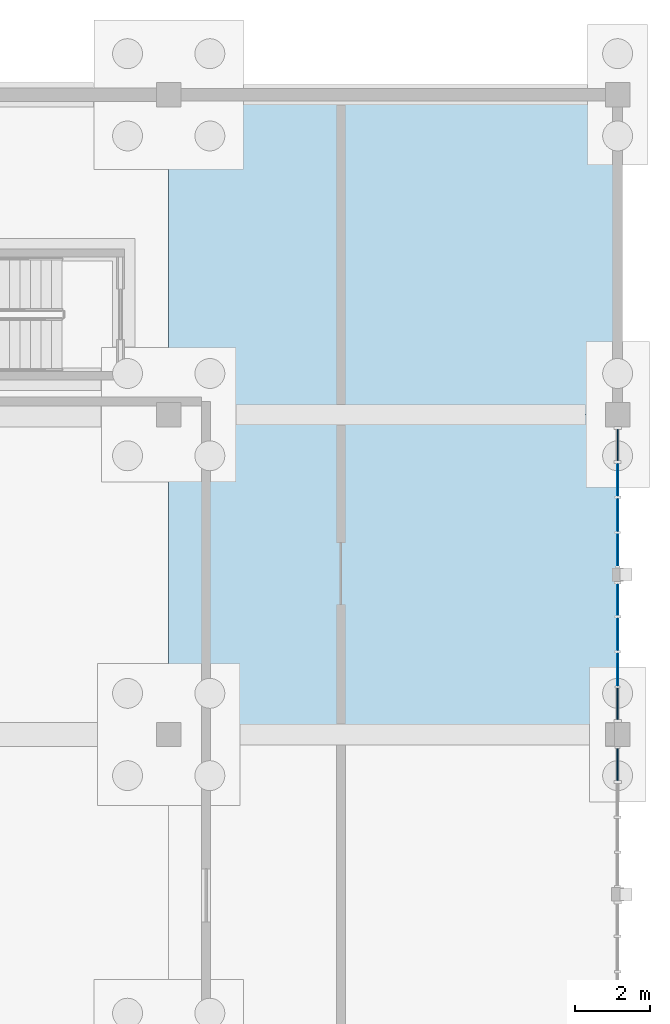
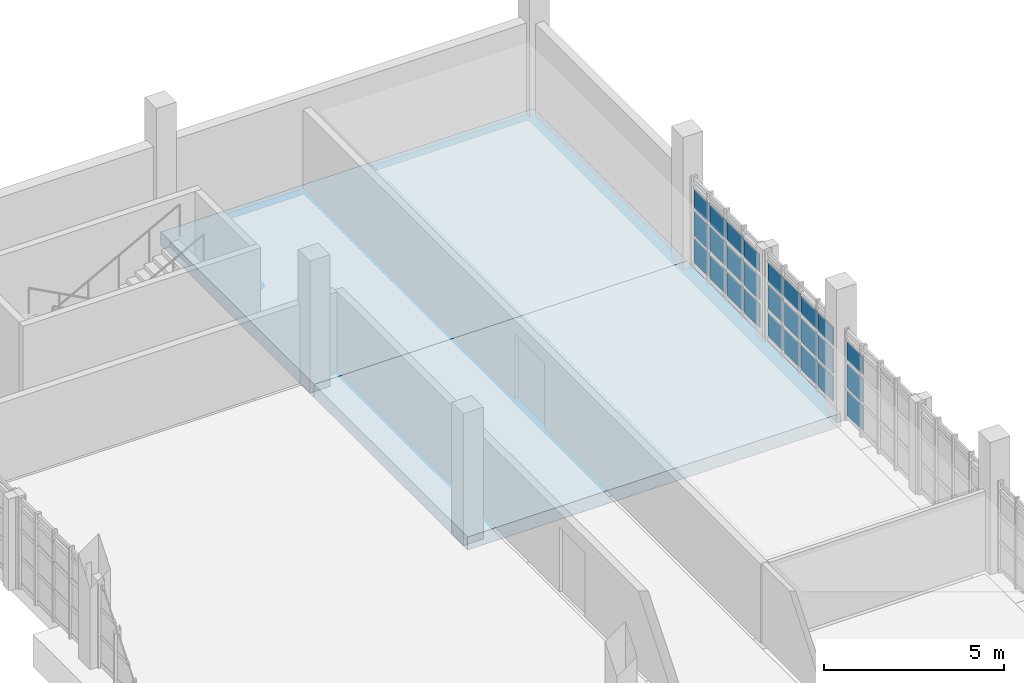
# One storey, part 94 of 125: 27 plates, 2 slabs, 3 elements without a shape of their own.
"""IFC4 building model written with IfcOpenShell, lengths in metres."""

from ifc_helpers import new_model, si_unit, direction, frame, origin, origin_2d, place, context, subcontext, project, spatial, polyline, rectangle, outline, extrude, material, layer, layer_set, type_object, element, aggregate, save


model = new_model("IFC4")

# Units and contexts
model_context = context("Model", 3, precision=1e-05, world=origin(), true_north=direction((0.0, 1.0)))
body_context = subcontext(model_context, "Body", "Model", "MODEL_VIEW")
ifc_project = project(units=[si_unit("LENGTHUNIT", "METRE"), si_unit("AREAUNIT", "SQUARE_METRE"), si_unit("VOLUMEUNIT", "CUBIC_METRE"), si_unit("PLANEANGLEUNIT", "RADIAN"), si_unit("MASSUNIT", "GRAM", prefix="KILO")], contexts=[model_context])

# Site, building, storey
site_placement = place(None, origin())
site = spatial("IfcSite", under=ifc_project, at=site_placement, CompositionType="ELEMENT")
building_placement = place(site_placement, origin())
building = spatial("IfcBuilding", under=site, at=building_placement, Name="Serraforn Aerial Cableway Station", CompositionType="ELEMENT")
storey_placement = place(building_placement, frame((0.0, 0.0, 4.5)))
storey = spatial("IfcBuildingStorey", under=building, at=storey_placement, Name="L01", CompositionType="ELEMENT", Elevation=4.5)

# Curtain wall, plates
ifc_material_1 = material(Name="Anodised bronze unitised curtain wall")
curtain_wall_type_1 = type_object("IfcCurtainWallType", Name="CW-SYS-21", PredefinedType="USERDEFINED", material=ifc_material_1)
curtain_wall_1_placement = place(storey_placement, origin())
curtain_wall_1 = element("IfcCurtainWall", 1, at=curtain_wall_1_placement, inside=storey, type_object=curtain_wall_type_1, Name="Unitised Curtain Wall CW-EG-L01-E7A", ObjectType="UNITISED CURTAIN WALL", PredefinedType="USERDEFINED")
ifc_material_2 = material(Name="Solar-control low-E double glazing", Category="glass")
ifc_layer_1 = layer(ifc_material_2, 0.02587890625)
ifc_layer_set_1 = layer_set([ifc_layer_1], Name="Solar-control low-E double glazing")
plate_type_1 = type_object("IfcPlateType", Name="CW-GLZ-1", PredefinedType="CURTAIN_PANEL", material=ifc_layer_set_1)
plate_1_placement = place(storey_placement, frame((168.0, 98.63623046875, 2.06982421875), z_axis=(0.0, 0.0, 1.0), x_axis=(1.0, 0.0, 0.0)))
plate_1 = element("IfcPlate", 2, at=plate_1_placement, type_object=plate_type_1, Name="Curtain Wall Panel CW-EG-L01-E7A-P2-3", PredefinedType="CURTAIN_PANEL", context=body_context, shape_type="SweptSolid", body=[
    extrude(rectangle(XDim=0.02587890625, YDim=0.889404296875, at=origin_2d()), origin(), (0.0, 0.0, 1.0), 0.59521484375),
])
plate_2_placement = place(storey_placement, frame((168.0, 99.579345703125, 1.1337890625), z_axis=(0.0, 0.0, 1.0), x_axis=(1.0, 0.0, 0.0)))
plate_2 = element("IfcPlate", 3, at=plate_2_placement, type_object=plate_type_1, Name="Curtain Wall Panel CW-EG-L01-E7A-P3-2", PredefinedType="CURTAIN_PANEL", context=body_context, shape_type="SweptSolid", body=[
    extrude(rectangle(XDim=0.02587890625, YDim=0.884521484375, at=origin_2d()), origin(), (0.0, 0.0, 1.0), 0.782470703125),
])
plate_3_placement = place(storey_placement, frame((168.0, 100.5048828125, 0.19775390625), z_axis=(0.0, 0.0, 1.0), x_axis=(1.0, 0.0, 0.0)))
plate_3 = element("IfcPlate", 4, at=plate_3_placement, type_object=plate_type_1, Name="Curtain Wall Panel CW-EG-L01-E7A-P4-1", PredefinedType="CURTAIN_PANEL", context=body_context, shape_type="SweptSolid", body=[
    extrude(rectangle(XDim=0.02587890625, YDim=0.844482421875, at=origin_2d()), origin(), (0.0, 0.0, 1.0), 0.782470703125),
])

curtain_wall_type_2 = type_object("IfcCurtainWallType", Name="CW-SYS-22", PredefinedType="USERDEFINED", material=ifc_material_1)
curtain_wall_2_placement = place(storey_placement, origin())
curtain_wall_2 = element("IfcCurtainWall", 5, at=curtain_wall_2_placement, inside=storey, type_object=curtain_wall_type_2, Name="Unitised Curtain Wall CW-EG-L01-E7B", ObjectType="UNITISED CURTAIN WALL", PredefinedType="USERDEFINED")
plate_4_placement = place(storey_placement, frame((168.0, 101.839111328125, 2.06982421875), z_axis=(0.0, 0.0, 1.0), x_axis=(1.0, 0.0, 0.0)))
plate_4 = element("IfcPlate", 6, at=plate_4_placement, type_object=plate_type_1, Name="Curtain Wall Panel CW-EG-L01-E7B-P1-3", PredefinedType="CURTAIN_PANEL", context=body_context, shape_type="SweptSolid", body=[
    extrude(rectangle(XDim=0.02587890625, YDim=0.862060546875, at=origin_2d()), origin(), (0.0, 0.0, 1.0), 0.59521484375),
])
plate_5_placement = place(storey_placement, frame((168.0, 102.768310546875, 1.1337890625), z_axis=(0.0, 0.0, 1.0), x_axis=(1.0, 0.0, 0.0)))
plate_5 = element("IfcPlate", 7, at=plate_5_placement, type_object=plate_type_1, Name="Curtain Wall Panel CW-EG-L01-E7B-P2-2", PredefinedType="CURTAIN_PANEL", context=body_context, shape_type="SweptSolid", body=[
    extrude(rectangle(XDim=0.02587890625, YDim=0.884521484375, at=origin_2d()), origin(), (0.0, 0.0, 1.0), 0.782470703125),
])
plate_6_placement = place(storey_placement, frame((168.0, 103.711181640625, 0.19775390625), z_axis=(0.0, 0.0, 1.0), x_axis=(1.0, 0.0, 0.0)))
plate_6 = element("IfcPlate", 8, at=plate_6_placement, type_object=plate_type_1, Name="Curtain Wall Panel CW-EG-L01-E7B-P3-1", PredefinedType="CURTAIN_PANEL", context=body_context, shape_type="SweptSolid", body=[
    extrude(rectangle(XDim=0.02587890625, YDim=0.87939453125, at=origin_2d()), origin(), (0.0, 0.0, 1.0), 0.782470703125),
])

# Plate
ifc_layer_2 = layer(ifc_material_2, 0.028076171875)
ifc_layer_set_2 = layer_set([ifc_layer_2], Name="Solar-control low-E double glazing")
plate_type_2 = type_object("IfcPlateType", Name="CW-GLZ-2", PredefinedType="CURTAIN_PANEL", material=ifc_layer_set_2)
plate_7_placement = place(storey_placement, frame((168.0, 99.579345703125, 2.077392578125), z_axis=(0.0, 0.0, 1.0), x_axis=(1.0, 0.0, 0.0)))
plate_7 = element("IfcPlate", 9, at=plate_7_placement, type_object=plate_type_2, Name="Curtain Wall Panel CW-EG-L01-E7A-P3-3", PredefinedType="CURTAIN_PANEL", context=body_context, shape_type="SweptSolid", body=[
    extrude(rectangle(XDim=0.028076171875, YDim=0.884521484375, at=origin_2d()), origin(), (0.0, 0.0, 1.0), 0.615234375),
])

plate_8_placement = place(storey_placement, frame((168.0, 100.5048828125, 1.14111328125), z_axis=(0.0, 0.0, 1.0), x_axis=(1.0, 0.0, 0.0)))
plate_8 = element("IfcPlate", 10, at=plate_8_placement, type_object=plate_type_2, Name="Curtain Wall Panel CW-EG-L01-E7A-P4-2", PredefinedType="CURTAIN_PANEL", context=body_context, shape_type="SweptSolid", body=[
    extrude(rectangle(XDim=0.028076171875, YDim=0.844482421875, at=origin_2d()), origin(), (0.0, 0.0, 1.0), 0.802490234375),
])

plate_9_placement = place(storey_placement, frame((168.0, 102.768310546875, 2.077392578125), z_axis=(0.0, 0.0, 1.0), x_axis=(1.0, 0.0, 0.0)))
plate_9 = element("IfcPlate", 11, at=plate_9_placement, type_object=plate_type_2, Name="Curtain Wall Panel CW-EG-L01-E7B-P2-3", PredefinedType="CURTAIN_PANEL", context=body_context, shape_type="SweptSolid", body=[
    extrude(rectangle(XDim=0.028076171875, YDim=0.884521484375, at=origin_2d()), origin(), (0.0, 0.0, 1.0), 0.615234375),
])

plate_10_placement = place(storey_placement, frame((168.0, 103.711181640625, 1.14111328125), z_axis=(0.0, 0.0, 1.0), x_axis=(1.0, 0.0, 0.0)))
plate_10 = element("IfcPlate", 12, at=plate_10_placement, type_object=plate_type_2, Name="Curtain Wall Panel CW-EG-L01-E7B-P3-2", PredefinedType="CURTAIN_PANEL", context=body_context, shape_type="SweptSolid", body=[
    extrude(rectangle(XDim=0.028076171875, YDim=0.87939453125, at=origin_2d()), origin(), (0.0, 0.0, 1.0), 0.802490234375),
])

plate_11_placement = place(storey_placement, frame((168.0, 104.635498046875, 0.20556640625), z_axis=(0.0, 0.0, 1.0), x_axis=(1.0, 0.0, 0.0)))
plate_11 = element("IfcPlate", 13, at=plate_11_placement, type_object=plate_type_2, Name="Curtain Wall Panel CW-EG-L01-E7B-P4-1", PredefinedType="CURTAIN_PANEL", context=body_context, shape_type="SweptSolid", body=[
    extrude(rectangle(XDim=0.028076171875, YDim=0.8369140625, at=origin_2d()), origin(), (0.0, 0.0, 1.0), 0.802490234375),
])

ifc_layer_3 = layer(ifc_material_2, 0.030029296875)
ifc_layer_set_3 = layer_set([ifc_layer_3], Name="Solar-control low-E double glazing")
plate_type_3 = type_object("IfcPlateType", Name="CW-GLZ-3", PredefinedType="CURTAIN_PANEL", material=ifc_layer_set_3)
plate_12_placement = place(storey_placement, frame((168.0, 100.5048828125, 2.0498046875), z_axis=(0.0, 0.0, 1.0), x_axis=(1.0, 0.0, 0.0)))
plate_12 = element("IfcPlate", 14, at=plate_12_placement, type_object=plate_type_3, Name="Curtain Wall Panel CW-EG-L01-E7A-P4-3", PredefinedType="CURTAIN_PANEL", context=body_context, shape_type="SweptSolid", body=[
    extrude(rectangle(XDim=0.030029296875, YDim=0.844482421875, at=origin_2d()), origin(), (0.0, 0.0, 1.0), 0.6376953125),
])

plate_13_placement = place(storey_placement, frame((168.0, 103.711181640625, 2.0498046875), z_axis=(0.0, 0.0, 1.0), x_axis=(1.0, 0.0, 0.0)))
plate_13 = element("IfcPlate", 15, at=plate_13_placement, type_object=plate_type_3, Name="Curtain Wall Panel CW-EG-L01-E7B-P3-3", PredefinedType="CURTAIN_PANEL", context=body_context, shape_type="SweptSolid", body=[
    extrude(rectangle(XDim=0.030029296875, YDim=0.87939453125, at=origin_2d()), origin(), (0.0, 0.0, 1.0), 0.6376953125),
])

plate_14_placement = place(storey_placement, frame((168.0, 104.635498046875, 1.11376953125), z_axis=(0.0, 0.0, 1.0), x_axis=(1.0, 0.0, 0.0)))
plate_14 = element("IfcPlate", 16, at=plate_14_placement, type_object=plate_type_3, Name="Curtain Wall Panel CW-EG-L01-E7B-P4-2", PredefinedType="CURTAIN_PANEL", context=body_context, shape_type="SweptSolid", body=[
    extrude(rectangle(XDim=0.030029296875, YDim=0.8369140625, at=origin_2d()), origin(), (0.0, 0.0, 1.0), 0.824951171875),
])

ifc_layer_4 = layer(ifc_material_2, 0.031982421875)
ifc_layer_set_4 = layer_set([ifc_layer_4], Name="Solar-control low-E double glazing")
plate_type_4 = type_object("IfcPlateType", Name="CW-GLZ-4", PredefinedType="CURTAIN_PANEL", material=ifc_layer_set_4)
plate_15_placement = place(storey_placement, frame((168.0, 104.635498046875, 2.0546875), z_axis=(0.0, 0.0, 1.0), x_axis=(1.0, 0.0, 0.0)))
plate_15 = element("IfcPlate", 17, at=plate_15_placement, type_object=plate_type_4, Name="Curtain Wall Panel CW-EG-L01-E7B-P4-3", PredefinedType="CURTAIN_PANEL", context=body_context, shape_type="SweptSolid", body=[
    extrude(rectangle(XDim=0.031982421875, YDim=0.8369140625, at=origin_2d()), origin(), (0.0, 0.0, 1.0), 0.625244140625),
])

# Curtain wall, plate
curtain_wall_type_3 = type_object("IfcCurtainWallType", Name="CW-SYS-18", PredefinedType="USERDEFINED", material=ifc_material_1)
curtain_wall_3_placement = place(storey_placement, origin())
curtain_wall_3 = element("IfcCurtainWall", 18, at=curtain_wall_3_placement, inside=storey, type_object=curtain_wall_type_3, Name="Unitised Curtain Wall CW-EG-L01-E6B", ObjectType="UNITISED CURTAIN WALL", PredefinedType="USERDEFINED")
ifc_layer_5 = layer(ifc_material_2, 0.035888671875)
ifc_layer_set_5 = layer_set([ifc_layer_5], Name="Solar-control low-E double glazing")
plate_type_5 = type_object("IfcPlateType", Name="CW-GLZ-6", PredefinedType="CURTAIN_PANEL", material=ifc_layer_set_5)
plate_16_placement = place(storey_placement, frame((168.0, 96.0966796875, 0.177734375), z_axis=(0.0, 0.0, 1.0), x_axis=(1.0, 0.0, 0.0)))
plate_16 = element("IfcPlate", 19, at=plate_16_placement, type_object=plate_type_5, Name="Curtain Wall Panel CW-EG-L01-E6B-P4-1", PredefinedType="CURTAIN_PANEL", context=body_context, shape_type="SweptSolid", body=[
    extrude(rectangle(XDim=0.035888671875, YDim=0.8544921875, at=origin_2d()), origin(), (0.0, 0.0, 1.0), 0.824951171875),
])

# Plate
plate_17_placement = place(storey_placement, frame((168.0, 97.71826171875, 0.177734375), z_axis=(0.0, 0.0, 1.0), x_axis=(1.0, 0.0, 0.0)))
plate_17 = element("IfcPlate", 20, at=plate_17_placement, type_object=plate_type_5, Name="Curtain Wall Panel CW-EG-L01-E7A-P1-1", PredefinedType="CURTAIN_PANEL", context=body_context, shape_type="SweptSolid", body=[
    extrude(rectangle(XDim=0.035888671875, YDim=0.844482421875, at=origin_2d()), origin(), (0.0, 0.0, 1.0), 0.824951171875),
])

ifc_layer_6 = layer(ifc_material_2, 0.029052734375)
ifc_layer_set_6 = layer_set([ifc_layer_6], Name="Solar-control low-E double glazing")
plate_type_6 = type_object("IfcPlateType", Name="CW-GLZ-7", PredefinedType="CURTAIN_PANEL", material=ifc_layer_set_6)
plate_18_placement = place(storey_placement, frame((168.0, 96.0966796875, 1.118896484375), z_axis=(0.0, 0.0, 1.0), x_axis=(1.0, 0.0, 0.0)))
plate_18 = element("IfcPlate", 21, at=plate_18_placement, type_object=plate_type_6, Name="Curtain Wall Panel CW-EG-L01-E6B-P4-2", PredefinedType="CURTAIN_PANEL", context=body_context, shape_type="SweptSolid", body=[
    extrude(rectangle(XDim=0.029052734375, YDim=0.8544921875, at=origin_2d()), origin(), (0.0, 0.0, 1.0), 0.8125),
])

plate_19_placement = place(storey_placement, frame((168.0, 97.71826171875, 1.118896484375), z_axis=(0.0, 0.0, 1.0), x_axis=(1.0, 0.0, 0.0)))
plate_19 = element("IfcPlate", 22, at=plate_19_placement, type_object=plate_type_6, Name="Curtain Wall Panel CW-EG-L01-E7A-P1-2", PredefinedType="CURTAIN_PANEL", context=body_context, shape_type="SweptSolid", body=[
    extrude(rectangle(XDim=0.029052734375, YDim=0.844482421875, at=origin_2d()), origin(), (0.0, 0.0, 1.0), 0.8125),
])

plate_20_placement = place(storey_placement, frame((168.0, 98.63623046875, 0.182861328125), z_axis=(0.0, 0.0, 1.0), x_axis=(1.0, 0.0, 0.0)))
plate_20 = element("IfcPlate", 23, at=plate_20_placement, type_object=plate_type_6, Name="Curtain Wall Panel CW-EG-L01-E7A-P2-1", PredefinedType="CURTAIN_PANEL", context=body_context, shape_type="SweptSolid", body=[
    extrude(rectangle(XDim=0.029052734375, YDim=0.889404296875, at=origin_2d()), origin(), (0.0, 0.0, 1.0), 0.8125),
])

plate_21_placement = place(storey_placement, frame((168.0, 101.839111328125, 0.182861328125), z_axis=(0.0, 0.0, 1.0), x_axis=(1.0, 0.0, 0.0)))
plate_21 = element("IfcPlate", 24, at=plate_21_placement, type_object=plate_type_6, Name="Curtain Wall Panel CW-EG-L01-E7B-P1-1", PredefinedType="CURTAIN_PANEL", context=body_context, shape_type="SweptSolid", body=[
    extrude(rectangle(XDim=0.029052734375, YDim=0.862060546875, at=origin_2d()), origin(), (0.0, 0.0, 1.0), 0.8125),
])

ifc_layer_7 = layer(ifc_material_2, 0.031005859375)
ifc_layer_set_7 = layer_set([ifc_layer_7], Name="Solar-control low-E double glazing")
plate_type_7 = type_object("IfcPlateType", Name="CW-GLZ-8", PredefinedType="CURTAIN_PANEL", material=ifc_layer_set_7)
plate_22_placement = place(storey_placement, frame((168.0, 96.0966796875, 2.062255859375), z_axis=(0.0, 0.0, 1.0), x_axis=(1.0, 0.0, 0.0)))
plate_22 = element("IfcPlate", 25, at=plate_22_placement, type_object=plate_type_7, Name="Curtain Wall Panel CW-EG-L01-E6B-P4-3", PredefinedType="CURTAIN_PANEL", context=body_context, shape_type="SweptSolid", body=[
    extrude(rectangle(XDim=0.031005859375, YDim=0.8544921875, at=origin_2d()), origin(), (0.0, 0.0, 1.0), 0.6103515625),
])

aggregate(curtain_wall_3, [plate_16, plate_18, plate_22])

plate_23_placement = place(storey_placement, frame((168.0, 97.71826171875, 2.062255859375), z_axis=(0.0, 0.0, 1.0), x_axis=(1.0, 0.0, 0.0)))
plate_23 = element("IfcPlate", 26, at=plate_23_placement, type_object=plate_type_7, Name="Curtain Wall Panel CW-EG-L01-E7A-P1-3", PredefinedType="CURTAIN_PANEL", context=body_context, shape_type="SweptSolid", body=[
    extrude(rectangle(XDim=0.031005859375, YDim=0.844482421875, at=origin_2d()), origin(), (0.0, 0.0, 1.0), 0.6103515625),
])

plate_24_placement = place(storey_placement, frame((168.0, 98.63623046875, 1.12646484375), z_axis=(0.0, 0.0, 1.0), x_axis=(1.0, 0.0, 0.0)))
plate_24 = element("IfcPlate", 27, at=plate_24_placement, type_object=plate_type_7, Name="Curtain Wall Panel CW-EG-L01-E7A-P2-2", PredefinedType="CURTAIN_PANEL", context=body_context, shape_type="SweptSolid", body=[
    extrude(rectangle(XDim=0.031005859375, YDim=0.889404296875, at=origin_2d()), origin(), (0.0, 0.0, 1.0), 0.797607421875),
])

plate_25_placement = place(storey_placement, frame((168.0, 99.579345703125, 0.1904296875), z_axis=(0.0, 0.0, 1.0), x_axis=(1.0, 0.0, 0.0)))
plate_25 = element("IfcPlate", 28, at=plate_25_placement, type_object=plate_type_7, Name="Curtain Wall Panel CW-EG-L01-E7A-P3-1", PredefinedType="CURTAIN_PANEL", context=body_context, shape_type="SweptSolid", body=[
    extrude(rectangle(XDim=0.031005859375, YDim=0.884521484375, at=origin_2d()), origin(), (0.0, 0.0, 1.0), 0.797607421875),
])

aggregate(curtain_wall_1, [plate_17, plate_19, plate_23, plate_20, plate_24, plate_1, plate_25, plate_2, plate_7, plate_3, plate_8, plate_12])

plate_26_placement = place(storey_placement, frame((168.0, 101.839111328125, 1.12646484375), z_axis=(0.0, 0.0, 1.0), x_axis=(1.0, 0.0, 0.0)))
plate_26 = element("IfcPlate", 29, at=plate_26_placement, type_object=plate_type_7, Name="Curtain Wall Panel CW-EG-L01-E7B-P1-2", PredefinedType="CURTAIN_PANEL", context=body_context, shape_type="SweptSolid", body=[
    extrude(rectangle(XDim=0.031005859375, YDim=0.862060546875, at=origin_2d()), origin(), (0.0, 0.0, 1.0), 0.797607421875),
])

plate_27_placement = place(storey_placement, frame((168.0, 102.768310546875, 0.1904296875), z_axis=(0.0, 0.0, 1.0), x_axis=(1.0, 0.0, 0.0)))
plate_27 = element("IfcPlate", 30, at=plate_27_placement, type_object=plate_type_7, Name="Curtain Wall Panel CW-EG-L01-E7B-P2-1", PredefinedType="CURTAIN_PANEL", context=body_context, shape_type="SweptSolid", body=[
    extrude(rectangle(XDim=0.031005859375, YDim=0.884521484375, at=origin_2d()), origin(), (0.0, 0.0, 1.0), 0.797607421875),
])

aggregate(curtain_wall_2, [plate_21, plate_26, plate_4, plate_27, plate_5, plate_9, plate_6, plate_10, plate_13, plate_11, plate_14, plate_15])

# Slabs
ifc_material_3 = material(Name="Concrete C40/50", Category="concrete")
ifc_layer_8 = layer(ifc_material_3, 0.449951171875)
ifc_layer_set_8 = layer_set([ifc_layer_8], Name="Concrete C40/50")
slab_type = type_object("IfcSlabType", Name="SLB-BASE-450", PredefinedType="BASESLAB", material=ifc_layer_set_8)
slab_1_placement = place(storey_placement, frame((0.0, 0.0, -0.449951171875)))
element("IfcSlab", 31, at=slab_1_placement, inside=storey, type_object=slab_type, Name="Floor Slab EG-L01-2-7", PredefinedType="BASESLAB", context=body_context, shape_type="SweptSolid", body=[
    extrude(outline(polyline([(156.0, 96.89990234375), (168.0, 96.89990234375), (168.0, 105.449951171875), (156.0, 105.449951171875), (156.0, 96.89990234375)])), origin(), (0.0, 0.0, 1.0), 0.449951171875),
])
slab_2_placement = place(storey_placement, frame((0.0, 0.0, -0.449951171875)))
element("IfcSlab", 32, at=slab_2_placement, inside=storey, type_object=slab_type, Name="Floor Slab EG-L01-2-8", PredefinedType="BASESLAB", context=body_context, shape_type="SweptSolid", body=[
    extrude(outline(polyline([(156.0, 105.449951171875), (168.0, 105.449951171875), (168.0, 114.0), (156.0, 114.0), (156.0, 105.449951171875)])), origin(), (0.0, 0.0, 1.0), 0.449951171875),
])

save(model, "model.ifc")
